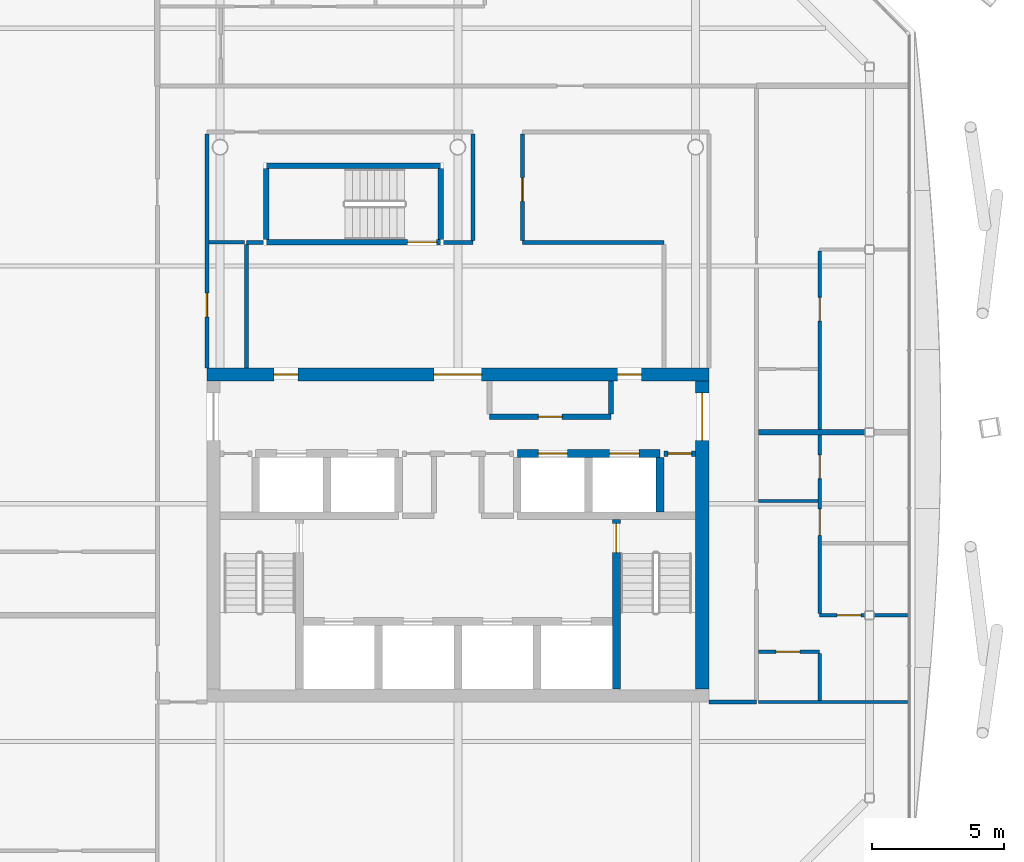
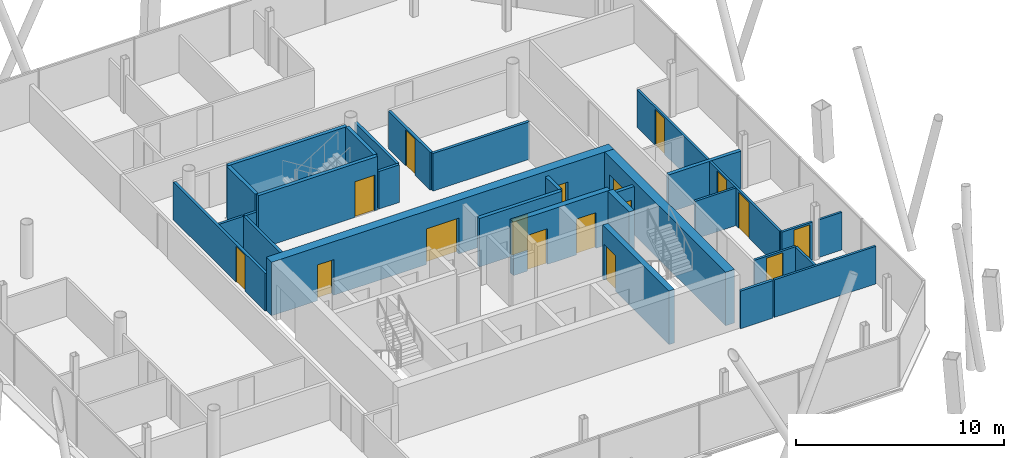
# One storey, part 14 of 19: 29 walls, 17 doors, 17 openings.
"""IFC4 building model written with IfcOpenShell, lengths in metres."""

from ifc_helpers import new_model, si_unit, direction, frame, frame_2d, origin, place, context, subcontext, project, spatial, rectangle, extrude, material, layer, layer_set, type_object, element, fill, save


model = new_model("IFC4")

# Units and contexts
model_context = context("Model", 3, precision=1e-05, world=origin(), true_north=direction((0.0, 1.0)))
body_context = subcontext(model_context, "Body", "Model", "MODEL_VIEW")
ifc_project = project(units=[si_unit("LENGTHUNIT", "METRE"), si_unit("AREAUNIT", "SQUARE_METRE"), si_unit("VOLUMEUNIT", "CUBIC_METRE"), si_unit("PLANEANGLEUNIT", "RADIAN"), si_unit("MASSUNIT", "GRAM", prefix="KILO")], contexts=[model_context])

# Site, building, storey
site_placement = place(None, origin())
site = spatial("IfcSite", under=ifc_project, at=site_placement, CompositionType="ELEMENT")
building_placement = place(site_placement, origin())
building = spatial("IfcBuilding", under=site, at=building_placement, Name="Tskaro Facet Tower", CompositionType="ELEMENT")
storey_placement = place(building_placement, frame((0.0, 0.0, 191.10009765625)))
storey = spatial("IfcBuildingStorey", under=building, at=storey_placement, Name="L48", CompositionType="ELEMENT", Elevation=191.10009765625)

# Wall, openings, doors
ifc_material_1 = material(Name="Concrete C60/75", Category="concrete")
ifc_layer_1 = layer(ifc_material_1, 0.300048828125, Name="Concrete C60/75")
ifc_layer_set_1 = layer_set([ifc_layer_1], Name="Concrete C60/75")
wall_type_1 = type_object("IfcWallType", Name="CORE-SHAFT", PredefinedType="SHEAR", material=ifc_layer_set_1)
wall_1_placement = place(storey_placement, frame((2.25, -2.60009765625, 0.0), z_axis=(0.0, 0.0, 1.0), x_axis=(1.0, 0.0, 0.0)))
wall_1 = element("IfcWall", 1, at=wall_1_placement, inside=storey, type_object=wall_type_1, Name="Shaft wall W025", PredefinedType="SHEAR", context=body_context, shape_type="SweptSolid", body=[
    extrude(rectangle(XDim=5.39990234375, YDim=0.300048828125, at=frame_2d((2.699951171875, 0.0))), origin(), (0.0, 0.0, 1.0), 3.14990234375),
])
opening_1_placement = place(wall_1_placement, frame((0.800048828125, 0.0, 0.0)))
opening_1 = element("IfcOpeningElement", 2, at=opening_1_placement, cuts=wall_1, Name="Opening LD-HB3", PredefinedType="OPENING", context=body_context, shape_type="SweptSolid", body=[
    extrude(rectangle(XDim=1.10009765625, YDim=2.10009765625, at=frame_2d((0.550048828125, 1.050048828125))), frame((0.0, 0.159912109375, 0.0), z_axis=(0.0, -1.0, 0.0), x_axis=(1.0, 0.0, 0.0)), (0.0, 0.0, 1.0), 0.320068359375),
])
opening_2_placement = place(wall_1_placement, frame((3.5, 0.0, 0.0)))
opening_2 = element("IfcOpeningElement", 3, at=opening_2_placement, cuts=wall_1, Name="Opening LD-HB4", PredefinedType="OPENING", context=body_context, shape_type="SweptSolid", body=[
    extrude(rectangle(XDim=1.10009765625, YDim=2.10009765625, at=frame_2d((0.550048828125, 1.050048828125))), frame((0.0, 0.159912109375, 0.0), z_axis=(0.0, -1.0, 0.0), x_axis=(1.0, 0.0, 0.0)), (0.0, 0.0, 1.0), 0.320068359375),
])
ifc_material_2 = material(Name="Stainless steel", Category="steel")
door_type_1 = type_object("IfcDoorType", Name="D-LANDING", OperationType="NOTDEFINED", PredefinedType="DOOR", material=ifc_material_2)
door_1_placement = place(opening_1_placement, origin())
door_1 = element("IfcDoor", 4, at=door_1_placement, inside=storey, type_object=door_type_1, Name="Landing door HB3", OperationType="DOUBLE_DOOR_SLIDING", OverallHeight=2.10009765625, OverallWidth=1.10009765625, PredefinedType="DOOR", context=body_context, shape_type="SweptSolid", body=[
    extrude(rectangle(XDim=1.10009765625, YDim=2.10009765625, at=frame_2d((0.550048828125, 1.050048828125))), frame((0.0, 0.02490234375, 0.0), z_axis=(0.0, -1.0, 0.0), x_axis=(1.0, 0.0, 0.0)), (0.0, 0.0, 1.0), 0.050048828125),
])
fill(opening_1, door_1)
door_2_placement = place(opening_2_placement, origin())
door_2 = element("IfcDoor", 5, at=door_2_placement, inside=storey, type_object=door_type_1, Name="Landing door HB4", OperationType="DOUBLE_DOOR_SLIDING", OverallHeight=2.10009765625, OverallWidth=1.10009765625, PredefinedType="DOOR", context=body_context, shape_type="SweptSolid", body=[
    extrude(rectangle(XDim=1.10009765625, YDim=2.10009765625, at=frame_2d((0.550048828125, 1.050048828125))), frame((0.0, 0.02490234375, 0.0), z_axis=(0.0, -1.0, 0.0), x_axis=(1.0, 0.0, 0.0)), (0.0, 0.0, 1.0), 0.050048828125),
])
fill(opening_2, door_2)

# Wall, opening, door
wall_2_placement = place(storey_placement, frame((6.0, -5.10009765625, 0.0), z_axis=(0.0, 0.0, 1.0), x_axis=(0.0, -1.0, 0.0)))
wall_2 = element("IfcWall", 6, at=wall_2_placement, inside=storey, type_object=wall_type_1, Name="Shaft wall W079", PredefinedType="SHEAR", context=body_context, shape_type="SweptSolid", body=[
    extrude(rectangle(XDim=6.39990234375, YDim=0.300048828125, at=frame_2d((3.199951171875, 0.0))), origin(), (0.0, 0.0, 1.0), 3.14990234375),
])
opening_3_placement = place(wall_2_placement, frame((0.14990234375, 0.0, 0.0)))
opening_3 = element("IfcOpeningElement", 7, at=opening_3_placement, cuts=wall_2, Name="Opening ST-2-D1", PredefinedType="OPENING", context=body_context, shape_type="SweptSolid", body=[
    extrude(rectangle(XDim=1.10009765625, YDim=2.10009765625, at=frame_2d((0.550048828125, 1.050048828125))), frame((0.0, 0.159912109375, 0.0), z_axis=(0.0, -1.0, 0.0), x_axis=(1.0, 0.0, 0.0)), (0.0, 0.0, 1.0), 0.320068359375),
])
ifc_material_3 = material(Name="Steel", Category="steel")
door_type_2 = type_object("IfcDoorType", Name="D-STAIR", OperationType="NOTDEFINED", PredefinedType="DOOR", material=ifc_material_3)
door_3_placement = place(opening_3_placement, origin())
door_3 = element("IfcDoor", 8, at=door_3_placement, inside=storey, type_object=door_type_2, Name="Stair door 2", OperationType="SINGLE_SWING_RIGHT", OverallHeight=2.10009765625, OverallWidth=1.10009765625, PredefinedType="DOOR", context=body_context, shape_type="SweptSolid", body=[
    extrude(rectangle(XDim=1.10009765625, YDim=2.10009765625, at=frame_2d((0.550048828125, 1.050048828125))), frame((0.0, 0.02490234375, 0.0), z_axis=(0.0, -1.0, 0.0), x_axis=(1.0, 0.0, 0.0)), (0.0, 0.0, 1.0), 0.050048828125),
])
fill(opening_3, door_3)

# Wall
wall_3_placement = place(storey_placement, frame((7.64990234375, -4.800048828125, 0.0), z_axis=(0.0, 0.0, 1.0), x_axis=(0.0, 1.0, 0.0)))
element("IfcWall", 9, at=wall_3_placement, inside=storey, type_object=wall_type_1, Name="Shaft wall W080", PredefinedType="SHEAR", context=body_context, shape_type="SweptSolid", body=[
    extrude(rectangle(XDim=2.050048828125, YDim=0.300048828125, at=frame_2d((1.02490234375, 0.0))), origin(), (0.0, 0.0, 1.0), 3.14990234375),
])

# Wall, opening, door
ifc_material_4 = material(Name="Concrete C20/25", Category="concrete")
ifc_layer_2 = layer(ifc_material_4, 0.199951171875, Name="Concrete C20/25")
ifc_layer_set_2 = layer_set([ifc_layer_2], Name="Concrete C20/25")
wall_type_2 = type_object("IfcWallType", Name="CORE-WALL", PredefinedType="SOLIDWALL", material=ifc_layer_set_2)
wall_4_placement = place(storey_placement, frame((9.0, -2.60009765625, 0.0), z_axis=(0.0, 0.0, 1.0), x_axis=(-1.0, 0.0, 0.0)))
wall_4 = element("IfcWall", 10, at=wall_4_placement, inside=storey, type_object=wall_type_2, Name="Core room wall W026", PredefinedType="SOLIDWALL", context=body_context, shape_type="SweptSolid", body=[
    extrude(rectangle(XDim=1.199951171875, YDim=0.199951171875, at=frame_2d((0.60009765625, 0.0))), origin(), (0.0, 0.0, 1.0), 2.849853515625),
])
opening_4_placement = place(wall_4_placement, frame((0.14990234375, 0.0, 0.0)))
opening_4 = element("IfcOpeningElement", 11, at=opening_4_placement, cuts=wall_4, Name="Opening T14-D16", PredefinedType="OPENING", context=body_context, shape_type="SweptSolid", body=[
    extrude(rectangle(XDim=0.89990234375, YDim=2.10009765625, at=frame_2d((0.449951171875, 1.050048828125))), frame((0.0, 0.10986328125, 0.0), z_axis=(0.0, -1.0, 0.0), x_axis=(1.0, 0.0, 0.0)), (0.0, 0.0, 1.0), 0.219970703125),
])
ifc_material_5 = material(Name="Timber", Category="wood")
door_type_3 = type_object("IfcDoorType", Name="D-ROOM", OperationType="NOTDEFINED", PredefinedType="DOOR", material=ifc_material_5)
door_4_placement = place(opening_4_placement, origin())
door_4 = element("IfcDoor", 12, at=door_4_placement, inside=storey, type_object=door_type_3, Name="Door T14-D16", OperationType="SINGLE_SWING_RIGHT", OverallHeight=2.10009765625, OverallWidth=0.89990234375, PredefinedType="DOOR", context=body_context, shape_type="SweptSolid", body=[
    extrude(rectangle(XDim=0.89990234375, YDim=2.10009765625, at=frame_2d((0.449951171875, 1.050048828125))), frame((0.0, 0.02490234375, 0.0), z_axis=(0.0, -1.0, 0.0), x_axis=(1.0, 0.0, 0.0)), (0.0, 0.0, 1.0), 0.050048828125),
])
fill(opening_4, door_4)

wall_5_placement = place(storey_placement, frame((1.199951171875, -1.199951171875, 0.0), z_axis=(0.0, 0.0, 1.0), x_axis=(1.0, 0.0, 0.0)))
wall_5 = element("IfcWall", 13, at=wall_5_placement, inside=storey, type_object=wall_type_2, Name="Core room wall W031", PredefinedType="SOLIDWALL", context=body_context, shape_type="SweptSolid", body=[
    extrude(rectangle(XDim=4.60009765625, YDim=0.199951171875, at=frame_2d((2.300048828125, 0.0))), origin(), (0.0, 0.0, 1.0), 2.849853515625),
])
opening_5_placement = place(wall_5_placement, frame((1.85009765625, 0.0, 0.0)))
opening_5 = element("IfcOpeningElement", 14, at=opening_5_placement, cuts=wall_5, Name="Opening T14-D18", PredefinedType="OPENING", context=body_context, shape_type="SweptSolid", body=[
    extrude(rectangle(XDim=0.89990234375, YDim=2.10009765625, at=frame_2d((0.449951171875, 1.050048828125))), frame((0.0, 0.10986328125, 0.0), z_axis=(0.0, -1.0, 0.0), x_axis=(1.0, 0.0, 0.0)), (0.0, 0.0, 1.0), 0.219970703125),
])
door_5_placement = place(opening_5_placement, origin())
door_5 = element("IfcDoor", 15, at=door_5_placement, inside=storey, type_object=door_type_3, Name="Door T14-D18", OperationType="SINGLE_SWING_LEFT", OverallHeight=2.10009765625, OverallWidth=0.89990234375, PredefinedType="DOOR", context=body_context, shape_type="SweptSolid", body=[
    extrude(rectangle(XDim=0.89990234375, YDim=2.10009765625, at=frame_2d((0.449951171875, 1.050048828125))), frame((0.0, 0.02490234375, 0.0), z_axis=(0.0, -1.0, 0.0), x_axis=(1.0, 0.0, 0.0)), (0.0, 0.0, 1.0), 0.050048828125),
])
fill(opening_5, door_5)

# Wall
wall_6_placement = place(storey_placement, frame((5.800048828125, -1.10009765625, 0.0), z_axis=(0.0, 0.0, 1.0), x_axis=(0.0, 1.0, 0.0)))
element("IfcWall", 16, at=wall_6_placement, inside=storey, type_object=wall_type_2, Name="Core room wall W078", PredefinedType="SOLIDWALL", context=body_context, shape_type="SweptSolid", body=[
    extrude(rectangle(XDim=1.25, YDim=0.199951171875, at=frame_2d((0.625, 0.0))), origin(), (0.0, 0.0, 1.0), 2.849853515625),
])

# Wall, openings, doors
ifc_material_6 = material(Name="Concrete C40/50", Category="concrete")
ifc_layer_3 = layer(ifc_material_6, 0.5, Name="Concrete C40/50")
ifc_layer_set_3 = layer_set([ifc_layer_3], Name="Concrete C40/50")
wall_type_3 = type_object("IfcWallType", Name="Core wall 500", PredefinedType="SHEAR", material=ifc_layer_set_3)
wall_7_placement = place(storey_placement, frame((-9.5, 0.39990234375, 0.0), z_axis=(0.0, 0.0, 1.0), x_axis=(1.0, 0.0, 0.0)))
wall_7 = element("IfcWall", 17, at=wall_7_placement, inside=storey, type_object=wall_type_3, Name="Core wall CW-Z3N", PredefinedType="SHEAR", context=body_context, shape_type="SweptSolid", body=[
    extrude(rectangle(XDim=19.0, YDim=0.5, at=frame_2d((9.5, 0.0))), origin(), (0.0, 0.0, 1.0), 3.14990234375),
])
opening_6_placement = place(wall_7_placement, frame((8.60009765625, 0.0, 0.0)))
opening_6 = element("IfcOpeningElement", 18, at=opening_6_placement, cuts=wall_7, Name="Opening T14-D21", PredefinedType="OPENING", context=body_context, shape_type="SweptSolid", body=[
    extrude(rectangle(XDim=1.800048828125, YDim=2.10009765625, at=frame_2d((0.89990234375, 1.050048828125))), frame((0.0, 0.260009765625, 0.0), z_axis=(0.0, -1.0, 0.0), x_axis=(1.0, 0.0, 0.0)), (0.0, 0.0, 1.0), 0.52001953125),
])
opening_7_placement = place(wall_7_placement, frame((2.550048828125, 0.0, 0.0)))
opening_7 = element("IfcOpeningElement", 19, at=opening_7_placement, cuts=wall_7, Name="Opening T14-D20", PredefinedType="OPENING", context=body_context, shape_type="SweptSolid", body=[
    extrude(rectangle(XDim=0.89990234375, YDim=2.10009765625, at=frame_2d((0.449951171875, 1.050048828125))), frame((0.0, 0.260009765625, 0.0), z_axis=(0.0, -1.0, 0.0), x_axis=(1.0, 0.0, 0.0)), (0.0, 0.0, 1.0), 0.52001953125),
])
opening_8_placement = place(wall_7_placement, frame((15.550048828125, 0.0, 0.0)))
opening_8 = element("IfcOpeningElement", 20, at=opening_8_placement, cuts=wall_7, Name="Opening T14-D22", PredefinedType="OPENING", context=body_context, shape_type="SweptSolid", body=[
    extrude(rectangle(XDim=0.89990234375, YDim=2.10009765625, at=frame_2d((0.449951171875, 1.050048828125))), frame((0.0, 0.260009765625, 0.0), z_axis=(0.0, -1.0, 0.0), x_axis=(1.0, 0.0, 0.0)), (0.0, 0.0, 1.0), 0.52001953125),
])
door_type_4 = type_object("IfcDoorType", Name="D-CORE-PAIR", OperationType="NOTDEFINED", PredefinedType="DOOR", material=ifc_material_3)
door_6_placement = place(opening_6_placement, origin())
door_6 = element("IfcDoor", 21, at=door_6_placement, inside=storey, type_object=door_type_4, Name="Door T14-D21", OperationType="DOUBLE_DOOR_SINGLE_SWING", OverallHeight=2.10009765625, OverallWidth=1.800048828125, PredefinedType="DOOR", context=body_context, shape_type="SweptSolid", body=[
    extrude(rectangle(XDim=1.800048828125, YDim=2.10009765625, at=frame_2d((0.89990234375, 1.050048828125))), frame((0.0, 0.02490234375, 0.0), z_axis=(0.0, -1.0, 0.0), x_axis=(1.0, 0.0, 0.0)), (0.0, 0.0, 1.0), 0.050048828125),
])
fill(opening_6, door_6)
door_7_placement = place(opening_7_placement, origin())
door_7 = element("IfcDoor", 22, at=door_7_placement, inside=storey, type_object=door_type_3, Name="Door T14-D20", OperationType="SINGLE_SWING_LEFT", OverallHeight=2.10009765625, OverallWidth=0.89990234375, PredefinedType="DOOR", context=body_context, shape_type="SweptSolid", body=[
    extrude(rectangle(XDim=0.89990234375, YDim=2.10009765625, at=frame_2d((0.449951171875, 1.050048828125))), frame((0.0, 0.02490234375, 0.0), z_axis=(0.0, -1.0, 0.0), x_axis=(1.0, 0.0, 0.0)), (0.0, 0.0, 1.0), 0.050048828125),
])
fill(opening_7, door_7)
door_8_placement = place(opening_8_placement, origin())
door_8 = element("IfcDoor", 23, at=door_8_placement, inside=storey, type_object=door_type_3, Name="Door T14-D22", OperationType="SINGLE_SWING_LEFT", OverallHeight=2.10009765625, OverallWidth=0.89990234375, PredefinedType="DOOR", context=body_context, shape_type="SweptSolid", body=[
    extrude(rectangle(XDim=0.89990234375, YDim=2.10009765625, at=frame_2d((0.449951171875, 1.050048828125))), frame((0.0, 0.02490234375, 0.0), z_axis=(0.0, -1.0, 0.0), x_axis=(1.0, 0.0, 0.0)), (0.0, 0.0, 1.0), 0.050048828125),
])
fill(opening_8, door_8)

# Wall, opening, door
wall_8_placement = place(storey_placement, frame((9.25, -11.5, 0.0), z_axis=(0.0, 0.0, 1.0), x_axis=(0.0, 1.0, 0.0)))
wall_8 = element("IfcWall", 24, at=wall_8_placement, inside=storey, type_object=wall_type_3, Name="Core wall CW-Z3E", PredefinedType="SHEAR", context=body_context, shape_type="SweptSolid", body=[
    extrude(rectangle(XDim=11.64990234375, YDim=0.5, at=frame_2d((5.824951171875, 0.0))), origin(), (0.0, 0.0, 1.0), 3.14990234375),
])
opening_9_placement = place(wall_8_placement, frame((9.39990234375, 0.0, 0.0)))
opening_9 = element("IfcOpeningElement", 25, at=opening_9_placement, cuts=wall_8, Name="Opening T14-D19", PredefinedType="OPENING", context=body_context, shape_type="SweptSolid", body=[
    extrude(rectangle(XDim=1.800048828125, YDim=2.10009765625, at=frame_2d((0.89990234375, 1.050048828125))), frame((0.0, 0.260009765625, 0.0), z_axis=(0.0, -1.0, 0.0), x_axis=(1.0, 0.0, 0.0)), (0.0, 0.0, 1.0), 0.52001953125),
])
door_9_placement = place(opening_9_placement, origin())
door_9 = element("IfcDoor", 26, at=door_9_placement, inside=storey, type_object=door_type_4, Name="Door T14-D19", OperationType="DOUBLE_DOOR_SINGLE_SWING", OverallHeight=2.10009765625, OverallWidth=1.800048828125, PredefinedType="DOOR", context=body_context, shape_type="SweptSolid", body=[
    extrude(rectangle(XDim=1.800048828125, YDim=2.10009765625, at=frame_2d((0.89990234375, 1.050048828125))), frame((0.0, 0.02490234375, 0.0), z_axis=(0.0, -1.0, 0.0), x_axis=(1.0, 0.0, 0.0)), (0.0, 0.0, 1.0), 0.050048828125),
])
fill(opening_9, door_9)

# Wall
ifc_material_7 = material(Name="Gypsum board on steel studs", Category="steel")
ifc_layer_4 = layer(ifc_material_7, 0.125, Name="Gypsum board on steel studs")
ifc_layer_set_4 = layer_set([ifc_layer_4], Name="Gypsum board on steel studs")
wall_type_4 = type_object("IfcWallType", Name="PART", PredefinedType="PARTITIONING", material=ifc_layer_set_4)
wall_9_placement = place(storey_placement, frame((11.375, -12.0, 0.0), z_axis=(0.0, 0.0, 1.0), x_axis=(1.0, 0.0, 0.0)))
element("IfcWall", 27, at=wall_9_placement, inside=storey, type_object=wall_type_4, Name="Partition W006", PredefinedType="PARTITIONING", context=body_context, shape_type="SweptSolid", body=[
    extrude(rectangle(XDim=5.655029296875, YDim=0.125, at=frame_2d((2.82763671875, 0.0))), origin(), (0.0, 0.0, 1.0), 2.2099609375),
])

# Wall, opening, door
wall_10_placement = place(storey_placement, frame((13.699951171875, -10.10009765625, 0.0), z_axis=(0.0, 0.0, 1.0), x_axis=(-1.0, 0.0, 0.0)))
wall_10 = element("IfcWall", 28, at=wall_10_placement, inside=storey, type_object=wall_type_4, Name="Partition W007", PredefinedType="PARTITIONING", context=body_context, shape_type="SweptSolid", body=[
    extrude(rectangle(XDim=2.324951171875, YDim=0.125, at=frame_2d((1.16259765625, 0.0))), origin(), (0.0, 0.0, 1.0), 2.2099609375),
])
opening_10_placement = place(wall_10_placement, frame((0.75, 0.0, 0.0)))
opening_10 = element("IfcOpeningElement", 29, at=opening_10_placement, cuts=wall_10, Name="Opening T14-D05", PredefinedType="OPENING", context=body_context, shape_type="SweptSolid", body=[
    extrude(rectangle(XDim=0.89990234375, YDim=2.10009765625, at=frame_2d((0.449951171875, 1.050048828125))), frame((0.0, 0.072509765625, 0.0), z_axis=(0.0, -1.0, 0.0), x_axis=(1.0, 0.0, 0.0)), (0.0, 0.0, 1.0), 0.14501953125),
])
door_10_placement = place(opening_10_placement, origin())
door_10 = element("IfcDoor", 30, at=door_10_placement, inside=storey, type_object=door_type_3, Name="Door T14-D05", OperationType="SINGLE_SWING_RIGHT", OverallHeight=2.10009765625, OverallWidth=0.89990234375, PredefinedType="DOOR", context=body_context, shape_type="SweptSolid", body=[
    extrude(rectangle(XDim=0.89990234375, YDim=2.10009765625, at=frame_2d((0.449951171875, 1.050048828125))), frame((0.0, 0.02490234375, 0.0), z_axis=(0.0, -1.0, 0.0), x_axis=(1.0, 0.0, 0.0)), (0.0, 0.0, 1.0), 0.050048828125),
])
fill(opening_10, door_10)

wall_11_placement = place(storey_placement, frame((13.699951171875, -8.715087890625, 0.0), z_axis=(0.0, 0.0, 1.0), x_axis=(1.0, 0.0, 0.0)))
wall_11 = element("IfcWall", 31, at=wall_11_placement, inside=storey, type_object=wall_type_4, Name="Partition W012", PredefinedType="PARTITIONING", context=body_context, shape_type="SweptSolid", body=[
    extrude(rectangle(XDim=1.7080078125, YDim=0.125, at=frame_2d((0.85400390625, 0.0))), origin(), (0.0, 0.0, 1.0), 2.2099609375),
])
opening_11_placement = place(wall_11_placement, frame((0.657958984375, 0.0, 0.0)))
opening_11 = element("IfcOpeningElement", 32, at=opening_11_placement, cuts=wall_11, Name="Opening T14-D06", PredefinedType="OPENING", context=body_context, shape_type="SweptSolid", body=[
    extrude(rectangle(XDim=0.89990234375, YDim=2.10009765625, at=frame_2d((0.449951171875, 1.050048828125))), frame((0.0, 0.072509765625, 0.0), z_axis=(0.0, -1.0, 0.0), x_axis=(1.0, 0.0, 0.0)), (0.0, 0.0, 1.0), 0.14501953125),
])
door_11_placement = place(opening_11_placement, origin())
door_11 = element("IfcDoor", 33, at=door_11_placement, inside=storey, type_object=door_type_3, Name="Door T14-D06", OperationType="SINGLE_SWING_LEFT", OverallHeight=2.10009765625, OverallWidth=0.89990234375, PredefinedType="DOOR", context=body_context, shape_type="SweptSolid", body=[
    extrude(rectangle(XDim=0.89990234375, YDim=2.10009765625, at=frame_2d((0.449951171875, 1.050048828125))), frame((0.0, 0.02490234375, 0.0), z_axis=(0.0, -1.0, 0.0), x_axis=(1.0, 0.0, 0.0)), (0.0, 0.0, 1.0), 0.050048828125),
])
fill(opening_11, door_11)

# Walls
wall_12_placement = place(storey_placement, frame((15.758056640625, -8.715087890625, 0.0), z_axis=(0.0, 0.0, 1.0), x_axis=(1.0, 0.0, 0.0)))
element("IfcWall", 34, at=wall_12_placement, inside=storey, type_object=wall_type_4, Name="Partition W013", PredefinedType="PARTITIONING", context=body_context, shape_type="SweptSolid", body=[
    extrude(rectangle(XDim=1.27197265625, YDim=0.125, at=frame_2d((0.635986328125, 0.0))), origin(), (0.0, 0.0, 1.0), 2.2099609375),
])
wall_13_placement = place(storey_placement, frame((11.375, -4.39501953125, 0.0), z_axis=(0.0, 0.0, 1.0), x_axis=(1.0, 0.0, 0.0)))
element("IfcWall", 35, at=wall_13_placement, inside=storey, type_object=wall_type_4, Name="Partition W021", PredefinedType="PARTITIONING", context=body_context, shape_type="SweptSolid", body=[
    extrude(rectangle(XDim=2.262451171875, YDim=0.125, at=frame_2d((1.13134765625, 0.0))), origin(), (0.0, 0.0, 1.0), 2.2099609375),
])
wall_14_placement = place(storey_placement, frame((-9.425048828125, 5.39990234375, 0.0), z_axis=(0.0, 0.0, 1.0), x_axis=(1.0, 0.0, 0.0)))
element("IfcWall", 36, at=wall_14_placement, inside=storey, type_object=wall_type_4, Name="Partition W037", PredefinedType="PARTITIONING", context=body_context, shape_type="SweptSolid", body=[
    extrude(rectangle(XDim=1.35009765625, YDim=0.125, at=frame_2d((0.675048828125, 0.0))), origin(), (0.0, 0.0, 1.0), 2.2099609375),
])
wall_15_placement = place(storey_placement, frame((13.699951171875, -11.9375, 0.0), z_axis=(0.0, 0.0, 1.0), x_axis=(0.0, 1.0, 0.0)))
element("IfcWall", 37, at=wall_15_placement, inside=storey, type_object=wall_type_4, Name="Partition W084", PredefinedType="PARTITIONING", context=body_context, shape_type="SweptSolid", body=[
    extrude(rectangle(XDim=1.77490234375, YDim=0.125, at=frame_2d((0.887451171875, 0.0))), origin(), (0.0, 0.0, 1.0), 2.2099609375),
])

# Wall, openings, doors
wall_16_placement = place(storey_placement, frame((13.699951171875, 5.0625, 0.0), z_axis=(0.0, 0.0, 1.0), x_axis=(0.0, -1.0, 0.0)))
wall_16 = element("IfcWall", 38, at=wall_16_placement, inside=storey, type_object=wall_type_4, Name="Partition W085", PredefinedType="PARTITIONING", context=body_context, shape_type="SweptSolid", body=[
    extrude(rectangle(XDim=13.715087890625, YDim=0.125, at=frame_2d((6.857421875, 0.0))), origin(), (0.0, 0.0, 1.0), 2.2099609375),
])
opening_12_placement = place(wall_16_placement, frame((9.7548828125, 0.0, 0.0)))
opening_12 = element("IfcOpeningElement", 39, at=opening_12_placement, cuts=wall_16, Name="Opening T14-D10", PredefinedType="OPENING", context=body_context, shape_type="SweptSolid", body=[
    extrude(rectangle(XDim=1.0, YDim=2.10009765625, at=frame_2d((0.5, 1.050048828125))), frame((0.0, 0.072509765625, 0.0), z_axis=(0.0, -1.0, 0.0), x_axis=(1.0, 0.0, 0.0)), (0.0, 0.0, 1.0), 0.14501953125),
])
opening_13_placement = place(wall_16_placement, frame((7.70751953125, 0.0, 0.0)))
opening_13 = element("IfcOpeningElement", 40, at=opening_13_placement, cuts=wall_16, Name="Opening T14-D12", PredefinedType="OPENING", context=body_context, shape_type="SweptSolid", body=[
    extrude(rectangle(XDim=0.89990234375, YDim=2.10009765625, at=frame_2d((0.449951171875, 1.050048828125))), frame((0.0, 0.072509765625, 0.0), z_axis=(0.0, -1.0, 0.0), x_axis=(1.0, 0.0, 0.0)), (0.0, 0.0, 1.0), 0.14501953125),
])
opening_14_placement = place(wall_16_placement, frame((1.74755859375, 0.0, 0.0)))
opening_14 = element("IfcOpeningElement", 41, at=opening_14_placement, cuts=wall_16, Name="Opening T14-D24", PredefinedType="OPENING", context=body_context, shape_type="SweptSolid", body=[
    extrude(rectangle(XDim=0.89990234375, YDim=2.10009765625, at=frame_2d((0.449951171875, 1.050048828125))), frame((0.0, 0.072509765625, 0.0), z_axis=(0.0, -1.0, 0.0), x_axis=(1.0, 0.0, 0.0)), (0.0, 0.0, 1.0), 0.14501953125),
])
door_12_placement = place(opening_13_placement, origin())
door_12 = element("IfcDoor", 42, at=door_12_placement, inside=storey, type_object=door_type_3, Name="Door T14-D12", OperationType="SINGLE_SWING_RIGHT", OverallHeight=2.10009765625, OverallWidth=0.89990234375, PredefinedType="DOOR", context=body_context, shape_type="SweptSolid", body=[
    extrude(rectangle(XDim=0.89990234375, YDim=2.10009765625, at=frame_2d((0.449951171875, 1.050048828125))), frame((0.0, 0.02490234375, 0.0), z_axis=(0.0, -1.0, 0.0), x_axis=(1.0, 0.0, 0.0)), (0.0, 0.0, 1.0), 0.050048828125),
])
fill(opening_13, door_12)
door_13_placement = place(opening_14_placement, origin())
door_13 = element("IfcDoor", 43, at=door_13_placement, inside=storey, type_object=door_type_3, Name="Door T14-D24", OperationType="SINGLE_SWING_LEFT", OverallHeight=2.10009765625, OverallWidth=0.89990234375, PredefinedType="DOOR", context=body_context, shape_type="SweptSolid", body=[
    extrude(rectangle(XDim=0.89990234375, YDim=2.10009765625, at=frame_2d((0.449951171875, 1.050048828125))), frame((0.0, 0.02490234375, 0.0), z_axis=(0.0, -1.0, 0.0), x_axis=(1.0, 0.0, 0.0)), (0.0, 0.0, 1.0), 0.050048828125),
])
fill(opening_14, door_13)
door_type_5 = type_object("IfcDoorType", Name="D-ROOM-WIDE", OperationType="NOTDEFINED", PredefinedType="DOOR", material=ifc_material_5)
door_14_placement = place(opening_12_placement, origin())
door_14 = element("IfcDoor", 44, at=door_14_placement, inside=storey, type_object=door_type_5, Name="Door T14-D10", OperationType="SINGLE_SWING_RIGHT", OverallHeight=2.10009765625, OverallWidth=1.0, PredefinedType="DOOR", context=body_context, shape_type="SweptSolid", body=[
    extrude(rectangle(XDim=1.0, YDim=2.10009765625, at=frame_2d((0.5, 1.050048828125))), frame((0.0, 0.02490234375, 0.0), z_axis=(0.0, -1.0, 0.0), x_axis=(1.0, 0.0, 0.0)), (0.0, 0.0, 1.0), 0.050048828125),
])
fill(opening_12, door_14)

# Walls
ifc_layer_5 = layer(ifc_material_7, 0.14990234375, Name="Gypsum board on steel studs")
ifc_layer_set_5 = layer_set([ifc_layer_5], Name="Gypsum board on steel studs")
wall_type_5 = type_object("IfcWallType", Name="PART-CORR", PredefinedType="PARTITIONING", material=ifc_layer_set_5)
wall_17_placement = place(storey_placement, frame((9.5, -12.0, 0.0), z_axis=(0.0, 0.0, 1.0), x_axis=(1.0, 0.0, 0.0)))
element("IfcWall", 45, at=wall_17_placement, inside=storey, type_object=wall_type_5, Name="Corridor wall W005", PredefinedType="PARTITIONING", context=body_context, shape_type="SweptSolid", body=[
    extrude(rectangle(XDim=1.800048828125, YDim=0.14990234375, at=frame_2d((0.89990234375, 0.0))), origin(), (0.0, 0.0, 1.0), 2.2099609375),
])
wall_18_placement = place(storey_placement, frame((-8.0, 5.39990234375, 0.0), z_axis=(0.0, 0.0, 1.0), x_axis=(1.0, 0.0, 0.0)))
element("IfcWall", 46, at=wall_18_placement, inside=storey, type_object=wall_type_5, Name="Corridor wall W038", PredefinedType="PARTITIONING", context=body_context, shape_type="SweptSolid", body=[
    extrude(rectangle(XDim=0.64990234375, YDim=0.14990234375, at=frame_2d((0.324951171875, 0.0))), origin(), (0.0, 0.0, 1.0), 2.2099609375),
])
wall_19_placement = place(storey_placement, frame((-0.550048828125, 5.39990234375, 0.0), z_axis=(0.0, 0.0, 1.0), x_axis=(1.0, 0.0, 0.0)))
element("IfcWall", 47, at=wall_19_placement, inside=storey, type_object=wall_type_5, Name="Corridor wall W040", PredefinedType="PARTITIONING", context=body_context, shape_type="SweptSolid", body=[
    extrude(rectangle(XDim=1.125, YDim=0.14990234375, at=frame_2d((0.5625, 0.0))), origin(), (0.0, 0.0, 1.0), 2.2099609375),
])
wall_20_placement = place(storey_placement, frame((2.449951171875, 5.39990234375, 0.0), z_axis=(0.0, 0.0, 1.0), x_axis=(1.0, 0.0, 0.0)))
element("IfcWall", 48, at=wall_20_placement, inside=storey, type_object=wall_type_5, Name="Corridor wall W041", PredefinedType="PARTITIONING", context=body_context, shape_type="SweptSolid", body=[
    extrude(rectangle(XDim=5.35009765625, YDim=0.14990234375, at=frame_2d((2.675048828125, 0.0))), origin(), (0.0, 0.0, 1.0), 2.2099609375),
])

# Wall, opening, door
wall_21_placement = place(storey_placement, frame((-9.5, 9.5, 0.0), z_axis=(0.0, 0.0, 1.0), x_axis=(0.0, -1.0, 0.0)))
wall_21 = element("IfcWall", 49, at=wall_21_placement, inside=storey, type_object=wall_type_5, Name="Corridor wall W054", PredefinedType="PARTITIONING", context=body_context, shape_type="SweptSolid", body=[
    extrude(rectangle(XDim=8.85009765625, YDim=0.14990234375, at=frame_2d((4.425048828125, 0.0))), origin(), (0.0, 0.0, 1.0), 2.2099609375),
])
opening_15_placement = place(wall_21_placement, frame((6.02490234375, 0.0, 0.0)))
opening_15 = element("IfcOpeningElement", 50, at=opening_15_placement, cuts=wall_21, Name="Opening T14-D25", PredefinedType="OPENING", context=body_context, shape_type="SweptSolid", body=[
    extrude(rectangle(XDim=0.89990234375, YDim=2.10009765625, at=frame_2d((0.449951171875, 1.050048828125))), frame((0.0, 0.0849609375, 0.0), z_axis=(0.0, -1.0, 0.0), x_axis=(1.0, 0.0, 0.0)), (0.0, 0.0, 1.0), 0.169921875),
])
door_15_placement = place(opening_15_placement, origin())
door_15 = element("IfcDoor", 51, at=door_15_placement, inside=storey, type_object=door_type_3, Name="Door T14-D25", OperationType="SINGLE_SWING_RIGHT", OverallHeight=2.10009765625, OverallWidth=0.89990234375, PredefinedType="DOOR", context=body_context, shape_type="SweptSolid", body=[
    extrude(rectangle(XDim=0.89990234375, YDim=2.10009765625, at=frame_2d((0.449951171875, 1.050048828125))), frame((0.0, 0.02490234375, 0.0), z_axis=(0.0, -1.0, 0.0), x_axis=(1.0, 0.0, 0.0)), (0.0, 0.0, 1.0), 0.050048828125),
])
fill(opening_15, door_15)

# Walls
wall_22_placement = place(storey_placement, frame((-8.0, 0.64990234375, 0.0), z_axis=(0.0, 0.0, 1.0), x_axis=(0.0, 1.0, 0.0)))
element("IfcWall", 52, at=wall_22_placement, inside=storey, type_object=wall_type_5, Name="Corridor wall W056", PredefinedType="PARTITIONING", context=body_context, shape_type="SweptSolid", body=[
    extrude(rectangle(XDim=4.675048828125, YDim=0.14990234375, at=frame_2d((2.33740234375, 0.0))), origin(), (0.0, 0.0, 1.0), 2.2099609375),
])
wall_23_placement = place(storey_placement, frame((0.574951171875, 5.47509765625, 0.0), z_axis=(0.0, 0.0, 1.0), x_axis=(0.0, 1.0, 0.0)))
element("IfcWall", 53, at=wall_23_placement, inside=storey, type_object=wall_type_5, Name="Corridor wall W069", PredefinedType="PARTITIONING", context=body_context, shape_type="SweptSolid", body=[
    extrude(rectangle(XDim=4.02490234375, YDim=0.14990234375, at=frame_2d((2.012451171875, 0.0))), origin(), (0.0, 0.0, 1.0), 2.2099609375),
])

# Wall, opening, door
wall_24_placement = place(storey_placement, frame((2.449951171875, 9.5, 0.0), z_axis=(0.0, 0.0, 1.0), x_axis=(0.0, -1.0, 0.0)))
wall_24 = element("IfcWall", 54, at=wall_24_placement, inside=storey, type_object=wall_type_5, Name="Corridor wall W075", PredefinedType="PARTITIONING", context=body_context, shape_type="SweptSolid", body=[
    extrude(rectangle(XDim=4.02490234375, YDim=0.14990234375, at=frame_2d((2.012451171875, 0.0))), origin(), (0.0, 0.0, 1.0), 2.2099609375),
])
opening_16_placement = place(wall_24_placement, frame((1.64990234375, 0.0, 0.0)))
opening_16 = element("IfcOpeningElement", 55, at=opening_16_placement, cuts=wall_24, Name="Opening T14-D29", PredefinedType="OPENING", context=body_context, shape_type="SweptSolid", body=[
    extrude(rectangle(XDim=0.89990234375, YDim=2.10009765625, at=frame_2d((0.449951171875, 1.050048828125))), frame((0.0, 0.0849609375, 0.0), z_axis=(0.0, -1.0, 0.0), x_axis=(1.0, 0.0, 0.0)), (0.0, 0.0, 1.0), 0.169921875),
])
door_16_placement = place(opening_16_placement, origin())
door_16 = element("IfcDoor", 56, at=door_16_placement, inside=storey, type_object=door_type_3, Name="Door T14-D29", OperationType="SINGLE_SWING_RIGHT", OverallHeight=2.10009765625, OverallWidth=0.89990234375, PredefinedType="DOOR", context=body_context, shape_type="SweptSolid", body=[
    extrude(rectangle(XDim=0.89990234375, YDim=2.10009765625, at=frame_2d((0.449951171875, 1.050048828125))), frame((0.0, 0.02490234375, 0.0), z_axis=(0.0, -1.0, 0.0), x_axis=(1.0, 0.0, 0.0)), (0.0, 0.0, 1.0), 0.050048828125),
])
fill(opening_16, door_16)

# Wall
ifc_layer_6 = layer(ifc_material_7, 0.199951171875, Name="Gypsum board on steel studs")
ifc_layer_set_6 = layer_set([ifc_layer_6], Name="Gypsum board on steel studs")
wall_type_6 = type_object("IfcWallType", Name="PART-DEMISING", PredefinedType="PARTITIONING", material=ifc_layer_set_6)
wall_25_placement = place(storey_placement, frame((11.375, -1.794921875, 0.0), z_axis=(0.0, 0.0, 1.0), x_axis=(1.0, 0.0, 0.0)))
element("IfcWall", 57, at=wall_25_placement, inside=storey, type_object=wall_type_6, Name="Guest room wall W029", PredefinedType="PARTITIONING", context=body_context, shape_type="SweptSolid", body=[
    extrude(rectangle(XDim=4.032958984375, YDim=0.199951171875, at=frame_2d((2.0166015625, 0.0))), origin(), (0.0, 0.0, 1.0), 2.2099609375),
])

# Wall, opening, door
ifc_layer_7 = layer(ifc_material_1, 0.199951171875, Name="Concrete C60/75")
ifc_layer_set_7 = layer_set([ifc_layer_7], Name="Concrete C60/75")
wall_type_7 = type_object("IfcWallType", Name="STAIR-WALL", PredefinedType="SHEAR", material=ifc_layer_set_7)
wall_26_placement = place(storey_placement, frame((-7.25, 5.39990234375, 0.0), z_axis=(0.0, 0.0, 1.0), x_axis=(1.0, 0.0, 0.0)))
wall_26 = element("IfcWall", 58, at=wall_26_placement, inside=storey, type_object=wall_type_7, Name="Stair wall W039", PredefinedType="SHEAR", context=body_context, shape_type="SweptSolid", body=[
    extrude(rectangle(XDim=6.60009765625, YDim=0.199951171875, at=frame_2d((3.300048828125, 0.0))), origin(), (0.0, 0.0, 1.0), 3.14990234375),
])
opening_17_placement = place(wall_26_placement, frame((5.35009765625, 0.0, 0.0)))
opening_17 = element("IfcOpeningElement", 59, at=opening_17_placement, cuts=wall_26, Name="Opening ST-3-D1", PredefinedType="OPENING", context=body_context, shape_type="SweptSolid", body=[
    extrude(rectangle(XDim=1.10009765625, YDim=2.10009765625, at=frame_2d((0.550048828125, 1.050048828125))), frame((0.0, 0.10986328125, 0.0), z_axis=(0.0, -1.0, 0.0), x_axis=(1.0, 0.0, 0.0)), (0.0, 0.0, 1.0), 0.219970703125),
])
door_17_placement = place(opening_17_placement, origin())
door_17 = element("IfcDoor", 60, at=door_17_placement, inside=storey, type_object=door_type_2, Name="Stair door 3", OperationType="SINGLE_SWING_LEFT", OverallHeight=2.10009765625, OverallWidth=1.10009765625, PredefinedType="DOOR", context=body_context, shape_type="SweptSolid", body=[
    extrude(rectangle(XDim=1.10009765625, YDim=2.10009765625, at=frame_2d((0.550048828125, 1.050048828125))), frame((0.0, 0.02490234375, 0.0), z_axis=(0.0, -1.0, 0.0), x_axis=(1.0, 0.0, 0.0)), (0.0, 0.0, 1.0), 0.050048828125),
])
fill(opening_17, door_17)

# Walls
wall_27_placement = place(storey_placement, frame((-7.25, 8.300048828125, 0.0), z_axis=(0.0, 0.0, 1.0), x_axis=(1.0, 0.0, 0.0)))
element("IfcWall", 61, at=wall_27_placement, inside=storey, type_object=wall_type_7, Name="Stair wall W042", PredefinedType="SHEAR", context=body_context, shape_type="SweptSolid", body=[
    extrude(rectangle(XDim=6.60009765625, YDim=0.199951171875, at=frame_2d((3.300048828125, 0.0))), origin(), (0.0, 0.0, 1.0), 3.14990234375),
])
for number, where, z_axis, x_axis, name in (
    (62, (-7.25, 5.5, 0.0), (0.0, 0.0, 1.0), (0.0, 1.0, 0.0), "Stair wall W058"),
    (63, (-0.64990234375, 5.5, 0.0), (0.0, 0.0, 1.0), (0.0, 1.0, 0.0), "Stair wall W067"),
):
    element("IfcWall", number, at=place(storey_placement, frame(where, z_axis=z_axis, x_axis=x_axis)), inside=storey, type_object=wall_type_7, Name=name, PredefinedType="SHEAR", context=body_context, shape_type="SweptSolid", body=[
        extrude(rectangle(XDim=2.699951171875, YDim=0.199951171875, at=frame_2d((1.35009765625, 0.0))), origin(), (0.0, 0.0, 1.0), 3.14990234375),
    ])

save(model, "model.ifc")
